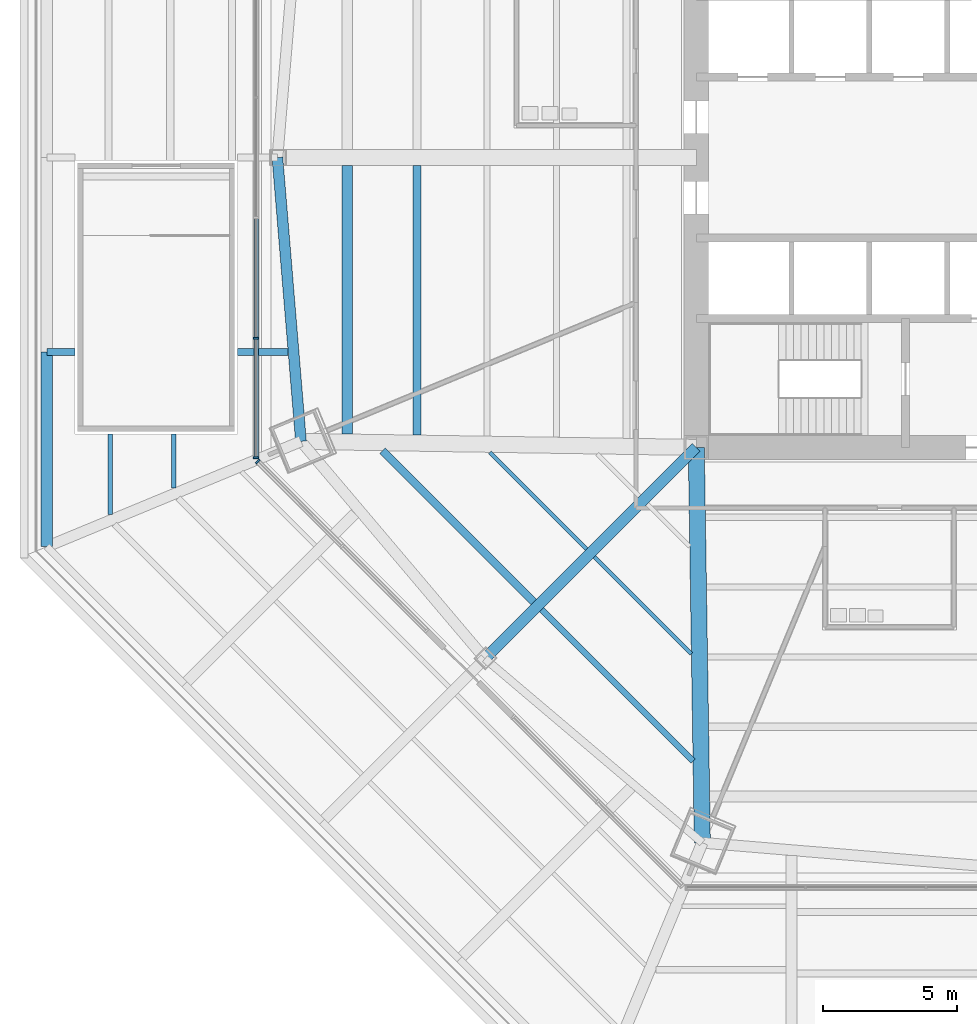
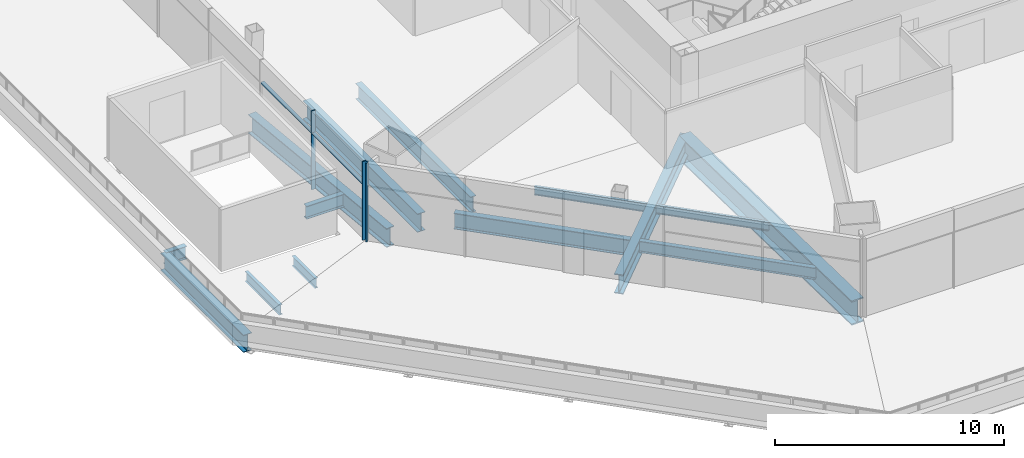
# One storey, part 3 of 25: 13 beams, 6 members, 2 elements without a shape of their own.
"""IFC4 building model written with IfcOpenShell, lengths in metres."""

from ifc_helpers import new_model, si_unit, direction, frame, origin, origin_2d, place, context, subcontext, project, spatial, rectangle, i_section, extrude, source, transform, mapped, material, material_profile, profile_set, type_object, type_shapes, element, aggregate, save


model = new_model("IFC4")

# Units and contexts
model_context = context("Model", 3, precision=1e-05, world=origin(), true_north=direction((0.0, 1.0)))
body_context = subcontext(model_context, "Body", "Model", "MODEL_VIEW")
ifc_project = project(units=[si_unit("LENGTHUNIT", "METRE"), si_unit("AREAUNIT", "SQUARE_METRE"), si_unit("VOLUMEUNIT", "CUBIC_METRE"), si_unit("PLANEANGLEUNIT", "RADIAN"), si_unit("MASSUNIT", "GRAM", prefix="KILO")], contexts=[model_context])

# Site, building, storey
site_placement = place(None, origin())
site = spatial("IfcSite", under=ifc_project, at=site_placement, CompositionType="ELEMENT")
building_placement = place(site_placement, origin())
building = spatial("IfcBuilding", under=site, at=building_placement, Name="Mashrafa Tower", CompositionType="ELEMENT")
storey_placement = place(building_placement, frame((0.0, 0.0, 28.800048828125)))
storey = spatial("IfcBuildingStorey", under=building, at=storey_placement, Name="L05", CompositionType="ELEMENT", Elevation=28.800048828125)

# Beams
ifc_material_1 = material(Name="Steel ASTM A572 Gr 50", Category="steel")
ifc_material_profile_1 = material_profile(ifc_material_1, i_section(OverallWidth=0.60009765625, OverallDepth=1.300048828125, WebThickness=0.028076171875, FlangeThickness=0.06494140625, at=origin_2d()), Name="H1300X600X28X65")
ifc_profile_set_1 = profile_set([ifc_material_profile_1], Name="Steel ASTM A572 Gr 50")
beam_type_1 = type_object("IfcBeamType", Name="Beam H1300X600X28X65", PredefinedType="BEAM", material=ifc_profile_set_1)
beam_1_placement = place(storey_placement, frame((-10.800048828125, -10.800048828125, -0.949951171875), z_axis=(0.015279561885, -0.99988326068, 0.0), x_axis=(0.99988326068, 0.015279561885, 0.0)))
element("IfcBeam", 1, at=beam_1_placement, inside=storey, type_object=beam_type_1, Name="Radial girder L05 235", PredefinedType="BEAM", context=body_context, shape_type="SweptSolid", body=[
    extrude(i_section(OverallWidth=0.60009765625, OverallDepth=1.300048828125, WebThickness=0.028076171875, FlangeThickness=0.06494140625, at=origin_2d()), origin(), (0.0, 0.0, 1.0), 14.73193359375),
])
ifc_material_2 = material(Name="Steel ASTM A992", Category="steel")
ifc_material_profile_2 = material_profile(ifc_material_2, i_section(OverallWidth=0.15234375, OverallDepth=0.449462890625, WebThickness=0.007568359375, FlangeThickness=0.0107421875, FilletRadius=0.01025390625, at=origin_2d()), Name="W18X35")
ifc_profile_set_2 = profile_set([ifc_material_profile_2], Name="Steel ASTM A992")
beam_type_2 = type_object("IfcBeamType", Name="Beam W18X35", PredefinedType="BEAM", material=ifc_profile_set_2)
for number, where, z_axis, x_axis, name in (
    (2, (-14.88134765625, -14.59228515625, -0.52490234375), (-0.707106781187, 0.707106781187, 0.0), (-0.707106781187, -0.707106781187, 0.0), "Floor beam L05 042"),
    (3, (-10.982666015625, -18.490966796875, -0.52490234375), (-0.707106781187, 0.707106781187, 0.0), (-0.707106781187, -0.707106781187, 0.0), "Floor beam L05 058"),
):
    element("IfcBeam", number, at=place(storey_placement, frame(where, z_axis=z_axis, x_axis=x_axis)), inside=storey, type_object=beam_type_2, Name=name, PredefinedType="BEAM", context=body_context, shape_type="SweptSolid", body=[
        extrude(i_section(OverallWidth=0.15234375, OverallDepth=0.449462890625, WebThickness=0.007568359375, FlangeThickness=0.0107421875, FilletRadius=0.01025390625, at=origin_2d()), origin(), (0.0, 0.0, 1.0), 5.104736328125),
    ])
ifc_material_3 = material(Name="Steel ASTM A992", Category="steel")
ifc_material_profile_3 = material_profile(ifc_material_3, i_section(OverallWidth=0.165771484375, OverallDepth=0.5283203125, WebThickness=0.009765625, FlangeThickness=0.013671875, FilletRadius=0.012939453125, at=origin_2d()), Name="W21X50")
ifc_profile_set_3 = profile_set([ifc_material_profile_3], Name="Steel ASTM A992")
beam_type_3 = type_object("IfcBeamType", Name="Beam W21X50", PredefinedType="BEAM", material=ifc_profile_set_3)
beam_2_placement = place(storey_placement, frame((-32.632568359375, -13.2998046875, -0.564208984375), z_axis=(0.0, 1.0, 0.0), x_axis=(-1.0, 0.0, 0.0)))
element("IfcBeam", 4, at=beam_2_placement, inside=storey, type_object=beam_type_3, Name="Floor beam L05 002", PredefinedType="BEAM", context=body_context, shape_type="SweptSolid", body=[
    extrude(i_section(OverallWidth=0.165771484375, OverallDepth=0.5283203125, WebThickness=0.009765625, FlangeThickness=0.013671875, FilletRadius=0.012939453125, at=origin_2d()), origin(), (0.0, 0.0, 1.0), 2.999755859375),
])
beam_3_placement = place(storey_placement, frame((-30.26513671875, -12.319091796875, -0.564208984375), z_axis=(0.0, 1.0, 0.0), x_axis=(-1.0, 0.0, 0.0)))
element("IfcBeam", 5, at=beam_3_placement, inside=storey, type_object=beam_type_3, Name="Floor beam L05 006", PredefinedType="BEAM", context=body_context, shape_type="SweptSolid", body=[
    extrude(i_section(OverallWidth=0.165771484375, OverallDepth=0.5283203125, WebThickness=0.009765625, FlangeThickness=0.013671875, FilletRadius=0.012939453125, at=origin_2d()), origin(), (0.0, 0.0, 1.0), 2.01904296875),
])
ifc_material_4 = material(Name="Steel ASTM A992", Category="steel")
ifc_material_profile_4 = material_profile(ifc_material_4, i_section(OverallWidth=0.22900390625, OverallDepth=0.612060546875, WebThickness=0.011962890625, FlangeThickness=0.01953125, FilletRadius=0.0126953125, at=origin_2d()), Name="W24X84")
ifc_profile_set_4 = profile_set([ifc_material_profile_4], Name="Steel ASTM A992")
beam_type_4 = type_object("IfcBeamType", Name="Beam W24X84", PredefinedType="BEAM", material=ifc_profile_set_4)
beam_4_placement = place(storey_placement, frame((-10.92138671875, -22.489013671875, -0.606201171875), z_axis=(-0.707106781187, 0.707106781187, 0.0), x_axis=(-0.707106781187, -0.707106781187, 0.0)))
element("IfcBeam", 6, at=beam_4_placement, inside=storey, type_object=beam_type_4, Name="Floor beam L05 060", PredefinedType="BEAM", context=body_context, shape_type="SweptSolid", body=[
    extrude(i_section(OverallWidth=0.22900390625, OverallDepth=0.612060546875, WebThickness=0.011962890625, FlangeThickness=0.01953125, FilletRadius=0.0126953125, at=origin_2d()), origin(), (0.0, 0.0, 1.0), 7.97509765625),
])
ifc_material_5 = material(Name="Steel ASTM A992", Category="steel")
ifc_material_profile_5 = material_profile(ifc_material_5, i_section(OverallWidth=0.256591796875, OverallDepth=0.693359375, WebThickness=0.014404296875, FlangeThickness=0.023681640625, FilletRadius=0.01513671875, at=origin_2d()), Name="W27X114")
ifc_profile_set_5 = profile_set([ifc_material_profile_5], Name="Steel ASTM A992")
beam_type_5 = type_object("IfcBeamType", Name="Beam W27X114", PredefinedType="BEAM", material=ifc_profile_set_5)
beam_5_placement = place(storey_placement, frame((-26.0078125, -7.248779296875, -0.646728515625), z_axis=(-1.0, 0.0, 0.0), x_axis=(0.0, -1.0, 0.0)))
element("IfcBeam", 7, at=beam_5_placement, inside=storey, type_object=beam_type_5, Name="Podium radial beam L05 180", PredefinedType="BEAM", context=body_context, shape_type="SweptSolid", body=[
    extrude(i_section(OverallWidth=0.256591796875, OverallDepth=0.693359375, WebThickness=0.014404296875, FlangeThickness=0.023681640625, FilletRadius=0.01513671875, at=origin_2d()), origin(), (0.0, 0.0, 1.0), 1.89208984375),
])
ifc_material_6 = material(Name="Steel ASTM A992", Category="steel")
ifc_material_profile_6 = material_profile(ifc_material_6, i_section(OverallWidth=0.2919921875, OverallDepth=0.845703125, WebThickness=0.015380859375, FlangeThickness=0.0244140625, FilletRadius=0.017333984375, at=origin_2d()), Name="W33X141")
ifc_profile_set_6 = profile_set([ifc_material_profile_6], Name="Steel ASTM A992")
beam_type_6 = type_object("IfcBeamType", Name="Beam W33X141", PredefinedType="BEAM", material=ifc_profile_set_6)
beam_6_placement = place(storey_placement, frame((-21.205810546875, -10.341064453125, -0.722900390625), z_axis=(0.0, 1.0, 0.0), x_axis=(-1.0, 0.0, 0.0)))
element("IfcBeam", 8, at=beam_6_placement, inside=storey, type_object=beam_type_6, Name="Floor beam L05 025", PredefinedType="BEAM", context=body_context, shape_type="SweptSolid", body=[
    extrude(i_section(OverallWidth=0.2919921875, OverallDepth=0.845703125, WebThickness=0.015380859375, FlangeThickness=0.0244140625, FilletRadius=0.017333984375, at=origin_2d()), origin(), (0.0, 0.0, 1.0), 10.041015625),
])
ifc_material_7 = material(Name="Steel ASTM A992", Category="steel")
ifc_material_profile_7 = material_profile(ifc_material_7, i_section(OverallWidth=0.2919921875, OverallDepth=0.8583984375, WebThickness=0.01708984375, FlangeThickness=0.031005859375, FilletRadius=0.017822265625, at=origin_2d()), Name="W33X169")
ifc_profile_set_7 = profile_set([ifc_material_profile_7], Name="Steel ASTM A992")
beam_type_7 = type_object("IfcBeamType", Name="Beam W33X169", PredefinedType="BEAM", material=ifc_profile_set_7)
beam_7_placement = place(storey_placement, frame((-16.849853515625, -16.560546875, -0.729248046875), z_axis=(-0.707106781187, 0.707106781187, 0.0), x_axis=(-0.707106781187, -0.707106781187, 0.0)))
element("IfcBeam", 9, at=beam_7_placement, inside=storey, type_object=beam_type_7, Name="Floor beam L05 034", PredefinedType="BEAM", context=body_context, shape_type="SweptSolid", body=[
    extrude(i_section(OverallWidth=0.2919921875, OverallDepth=0.8583984375, WebThickness=0.01708984375, FlangeThickness=0.031005859375, FilletRadius=0.017822265625, at=origin_2d()), origin(), (0.0, 0.0, 1.0), 7.97509765625),
])
ifc_material_8 = material(Name="Steel ASTM A992", Category="steel")
ifc_material_profile_8 = material_profile(ifc_material_8, i_section(OverallWidth=0.419189453125, OverallDepth=0.927001953125, WebThickness=0.019287109375, FlangeThickness=0.031982421875, FilletRadius=0.020263671875, at=origin_2d()), Name="W36X231")
ifc_profile_set_8 = profile_set([ifc_material_profile_8], Name="Steel ASTM A992")
beam_type_8 = type_object("IfcBeamType", Name="Beam W36X231", PredefinedType="BEAM", material=ifc_profile_set_8)
beam_8_placement = place(storey_placement, frame((-35.0, -7.248779296875, -0.763671875), z_axis=(0.0, -1.0, 0.0), x_axis=(1.0, 0.0, 0.0)))
element("IfcBeam", 10, at=beam_8_placement, inside=storey, type_object=beam_type_8, Name="Podium edge beam L05 146", PredefinedType="BEAM", context=body_context, shape_type="SweptSolid", body=[
    extrude(i_section(OverallWidth=0.419189453125, OverallDepth=0.927001953125, WebThickness=0.019287109375, FlangeThickness=0.031982421875, FilletRadius=0.020263671875, at=origin_2d()), origin(), (0.0, 0.0, 1.0), 7.248779296875),
])
ifc_material_9 = material(Name="Steel ASTM A992", Category="steel")
ifc_material_profile_9 = material_profile(ifc_material_9, i_section(OverallWidth=0.4013671875, OverallDepth=0.98291015625, WebThickness=0.0166015625, FlangeThickness=0.027099609375, FilletRadius=0.0126953125, at=origin_2d()), Name="W40X199")
ifc_profile_set_9 = profile_set([ifc_material_profile_9], Name="Steel ASTM A992")
beam_type_9 = type_object("IfcBeamType", Name="Beam W40X199", PredefinedType="BEAM", material=ifc_profile_set_9)
beam_9_placement = place(storey_placement, frame((-23.80712890625, -10.30126953125, -0.79150390625), z_axis=(0.0, 1.0, 0.0), x_axis=(-1.0, 0.0, 0.0)))
element("IfcBeam", 11, at=beam_9_placement, inside=storey, type_object=beam_type_9, Name="Floor beam L05 018", PredefinedType="BEAM", context=body_context, shape_type="SweptSolid", body=[
    extrude(i_section(OverallWidth=0.4013671875, OverallDepth=0.98291015625, WebThickness=0.0166015625, FlangeThickness=0.027099609375, FilletRadius=0.0126953125, at=origin_2d()), origin(), (0.0, 0.0, 1.0), 10.001220703125),
])
ifc_material_10 = material(Name="Steel ASTM A992", Category="steel")
ifc_material_profile_10 = material_profile(ifc_material_10, i_section(OverallWidth=0.4013671875, OverallDepth=1.010986328125, WebThickness=0.023681640625, FlangeThickness=0.0419921875, FilletRadius=0.02001953125, at=origin_2d()), Name="W40X297")
ifc_profile_set_10 = profile_set([ifc_material_profile_10], Name="Steel ASTM A992")
beam_type_10 = type_object("IfcBeamType", Name="Beam W40X297", PredefinedType="BEAM", material=ifc_profile_set_10)
beam_10_placement = place(storey_placement, frame((-26.408447265625, 0.0, -0.805419921875), z_axis=(0.082757962037, -0.996569676299, 0.0), x_axis=(0.996569676299, 0.082757962037, 0.0)))
element("IfcBeam", 12, at=beam_10_placement, inside=storey, type_object=beam_type_10, Name="Podium ring girder L05 217", PredefinedType="BEAM", context=body_context, shape_type="SweptSolid", body=[
    extrude(i_section(OverallWidth=0.4013671875, OverallDepth=1.010986328125, WebThickness=0.023681640625, FlangeThickness=0.0419921875, FilletRadius=0.02001953125, at=origin_2d()), origin(), (0.0, 0.0, 1.0), 10.611328125),
])
ifc_material_11 = material(Name="Steel ASTM A992", Category="steel")
ifc_material_profile_11 = material_profile(ifc_material_11, i_section(OverallWidth=0.408935546875, OverallDepth=1.04150390625, WebThickness=0.031005859375, FlangeThickness=0.055908203125, FilletRadius=0.020263671875, at=origin_2d()), Name="W40X397")
ifc_profile_set_11 = profile_set([ifc_material_profile_11], Name="Steel ASTM A992")
beam_type_11 = type_object("IfcBeamType", Name="Beam W40X397", PredefinedType="BEAM", material=ifc_profile_set_11)
beam_11_placement = place(storey_placement, frame((-10.800048828125, -10.800048828125, -0.82080078125), z_axis=(-0.707106781187, -0.707106781187, 0.0), x_axis=(0.707106781187, -0.707106781187, 0.0)))
element("IfcBeam", 13, at=beam_11_placement, inside=storey, type_object=beam_type_11, Name="Radial girder L05 234", PredefinedType="BEAM", context=body_context, shape_type="SweptSolid", body=[
    extrude(i_section(OverallWidth=0.408935546875, OverallDepth=1.04150390625, WebThickness=0.031005859375, FlangeThickness=0.055908203125, FilletRadius=0.020263671875, at=origin_2d()), origin(), (0.0, 0.0, 1.0), 11.134765625),
])

# Member
ifc_material_12 = material(Name="Steel ASTM A992", Category="steel")
ifc_material_profile_12 = material_profile(ifc_material_12, i_section(OverallWidth=0.25390625, OverallDepth=0.683349609375, WebThickness=0.012451171875, FlangeThickness=0.01904296875, FilletRadius=0.01513671875, at=origin_2d()), Name="W27X94")
ifc_profile_set_12 = profile_set([ifc_material_profile_12], Name="Steel ASTM A992")
member_type_1 = type_object("IfcMemberType", Name="Tie strut W27X94", PredefinedType="STRUT", material=ifc_profile_set_12)
shared_shape_1 = source(origin(), body_context, "Body", "SweptSolid", [
    extrude(i_section(OverallWidth=0.25390625, OverallDepth=0.683349609375, WebThickness=0.012451171875, FlangeThickness=0.01904296875, FilletRadius=0.01513671875, at=origin_2d()), origin(), (0.0, 0.0, 1.0), 1.050048828125),
])
type_shapes(member_type_1, [shared_shape_1])
member_1_placement = place(storey_placement, frame((-33.949951171875, -7.248779296875, -0.6416015625), z_axis=(-1.0, 0.0, 0.0), x_axis=(0.0, -1.0, 0.0)))
element("IfcMember", 14, at=member_1_placement, inside=storey, type_object=member_type_1, Name="Tie strut L05 177", PredefinedType="STRUT", context=body_context, shape_type="MappedRepresentation", body=[
    mapped(shared_shape_1, transform((0.0, 0.0, 0.0))),
])

# Curtain wall, members
ifc_material_13 = material(Name="Unitised aluminium curtain wall", Category="aluminium")
curtain_wall_type = type_object("IfcCurtainWallType", Name="Office curtain wall, zone 1 CW-A 200 deep", PredefinedType="NOTDEFINED", material=ifc_material_13)
curtain_wall_1_placement = place(storey_placement, origin())
curtain_wall_1 = element("IfcCurtainWall", 15, at=curtain_wall_1_placement, inside=storey, type_object=curtain_wall_type, Name="Office curtain wall, zone 1 L05 west", PredefinedType="NOTDEFINED")
ifc_material_14 = material(Name="Extruded aluminium mullion", Category="aluminium")
ifc_material_profile_13 = material_profile(ifc_material_14, rectangle(XDim=0.199951171875, YDim=0.06494140625, at=origin_2d()), Name="Mullion 65x200")
ifc_profile_set_13 = profile_set([ifc_material_profile_13], Name="Extruded aluminium mullion")
member_type_2 = type_object("IfcMemberType", Name="Mullion CW-A 65 x 200", PredefinedType="MULLION", material=ifc_profile_set_13)
shared_shape_2 = source(origin(), body_context, "Body", "SweptSolid", [
    extrude(rectangle(XDim=0.199951171875, YDim=0.06494140625, at=origin_2d()), origin(), (0.0, 0.0, 1.0), 4.199951171875),
])
type_shapes(member_type_2, [shared_shape_2])
member_2_placement = place(storey_placement, frame((-27.199951171875, -6.72900390625, 0.0), z_axis=(0.0, 0.0, 1.0), x_axis=(1.0, 0.0, 0.0)))
member_2 = element("IfcMember", 16, at=member_2_placement, type_object=member_type_2, Name="CW-A mullion 5", PredefinedType="MULLION", context=body_context, shape_type="MappedRepresentation", body=[
    mapped(shared_shape_2, transform((0.0, 0.0, 0.0))),
])
member_3_placement = place(storey_placement, frame((-27.199951171875, -11.1826171875, 0.0), z_axis=(0.0, 0.0, 1.0), x_axis=(1.0, 0.0, 0.0)))
member_3 = element("IfcMember", 17, at=member_3_placement, type_object=member_type_2, Name="CW-A mullion 6", PredefinedType="MULLION", context=body_context, shape_type="MappedRepresentation", body=[
    mapped(shared_shape_2, transform((0.0, 0.0, 0.0))),
])

# Curtain wall, member
curtain_wall_2_placement = place(storey_placement, origin())
curtain_wall_2 = element("IfcCurtainWall", 18, at=curtain_wall_2_placement, inside=storey, type_object=curtain_wall_type, Name="Office curtain wall, zone 1 L05 south-west part 1", PredefinedType="NOTDEFINED")
member_4_placement = place(storey_placement, frame((-27.140625, -11.325927734375, 0.0), z_axis=(0.0, 0.0, 1.0), x_axis=(0.707106781187, 0.707106781187, 0.0)))
member_4 = element("IfcMember", 19, at=member_4_placement, type_object=member_type_2, Name="CW-A mullion 1", PredefinedType="MULLION", context=body_context, shape_type="MappedRepresentation", body=[
    mapped(shared_shape_2, transform((0.0, 0.0, 0.0))),
])
aggregate(curtain_wall_2, [member_4])

# Member
ifc_material_15 = material(Name="Extruded aluminium transom", Category="aluminium")
ifc_material_profile_14 = material_profile(ifc_material_15, rectangle(XDim=0.159912109375, YDim=0.080078125, at=origin_2d()), Name="Transom 80x160")
ifc_profile_set_14 = profile_set([ifc_material_profile_14], Name="Extruded aluminium transom")
member_type_3 = type_object("IfcMemberType", Name="Transom CW-A 80 x 160", PredefinedType="MULLION", material=ifc_profile_set_14)
shared_shape_3 = source(origin(), body_context, "Body", "SweptSolid", [
    extrude(rectangle(XDim=0.159912109375, YDim=0.080078125, at=origin_2d()), origin(), (0.0, 0.0, 1.0), 4.388427734375),
])
member_5_placement = place(storey_placement, frame((-27.199951171875, -6.76171875, 3.0), z_axis=(0.0, -1.0, 0.0), x_axis=(1.0, 0.0, 0.0)))
member_5 = element("IfcMember", 20, at=member_5_placement, type_object=member_type_3, Name="CW-A transom 5", PredefinedType="MULLION", context=body_context, shape_type="MappedRepresentation", body=[
    mapped(shared_shape_3, transform((0.0, 0.0, 0.0))),
])

shared_shape_4 = source(origin(), body_context, "Body", "SweptSolid", [
    extrude(rectangle(XDim=0.159912109375, YDim=0.080078125, at=origin_2d()), origin(), (0.0, 0.0, 1.0), 4.4208984375),
])
type_shapes(member_type_3, [shared_shape_3, shared_shape_4])
member_6_placement = place(storey_placement, frame((-27.199951171875, -2.275634765625, 3.0), z_axis=(0.0, -1.0, 0.0), x_axis=(1.0, 0.0, 0.0)))
member_6 = element("IfcMember", 21, at=member_6_placement, type_object=member_type_3, Name="CW-A transom 4", PredefinedType="MULLION", context=body_context, shape_type="MappedRepresentation", body=[
    mapped(shared_shape_4, transform((0.0, 0.0, 0.0))),
])

aggregate(curtain_wall_1, [member_2, member_3, member_6, member_5])

save(model, "model.ifc")
